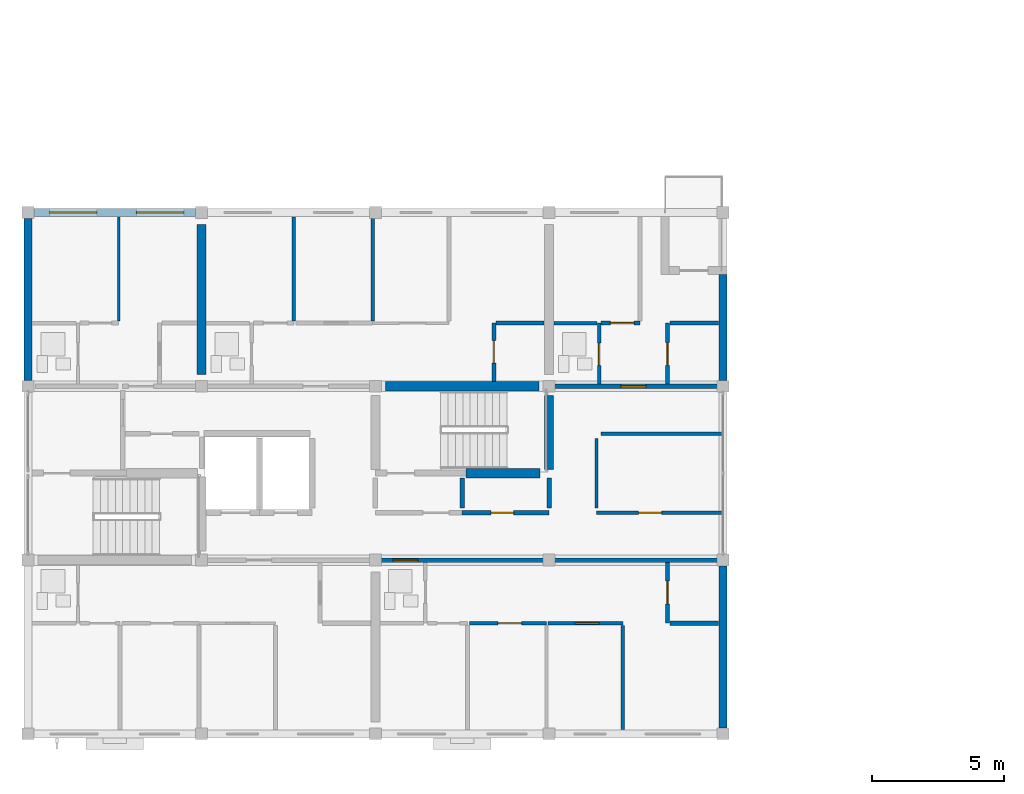
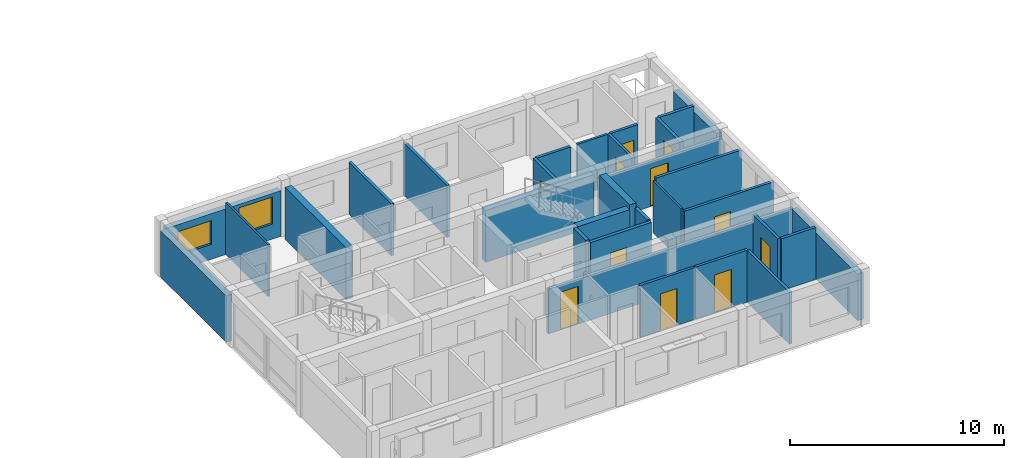
# One storey, part 28 of 52: 31 walls, 11 doors, 2 windows, 13 openings.
"""IFC4 building model written with IfcOpenShell, lengths in metres."""

from ifc_helpers import new_model, si_unit, direction, frame, frame_2d, origin, place, context, subcontext, project, spatial, rectangle, extrude, material, layer, layer_set, type_object, element, fill, save


model = new_model("IFC4")

# Units and contexts
model_context = context("Model", 3, precision=1e-05, world=origin(), true_north=direction((0.0, 1.0)))
body_context = subcontext(model_context, "Body", "Model", "MODEL_VIEW")
ifc_project = project(units=[si_unit("LENGTHUNIT", "METRE"), si_unit("AREAUNIT", "SQUARE_METRE"), si_unit("VOLUMEUNIT", "CUBIC_METRE"), si_unit("PLANEANGLEUNIT", "RADIAN"), si_unit("MASSUNIT", "GRAM", prefix="KILO")], contexts=[model_context])

# Site, building, storey
site_placement = place(None, origin())
site = spatial("IfcSite", under=ifc_project, at=site_placement, CompositionType="ELEMENT")
building_placement = place(site_placement, origin())
building = spatial("IfcBuilding", under=site, at=building_placement, Name="Kernevlak Ridge Housing Community", CompositionType="ELEMENT")
storey_placement = place(building_placement, frame((0.0, 0.0, 11.60009765625)))
storey = spatial("IfcBuildingStorey", under=building, at=storey_placement, Name="L03", CompositionType="ELEMENT", Elevation=11.60009765625)

# Wall, openings, windows
ifc_material_1 = material(Name="Concrete block masonry M10", Category="masonry")
ifc_layer_1 = layer(ifc_material_1, 0.300048828125, Name="Concrete block masonry M10")
ifc_layer_set_1 = layer_set([ifc_layer_1], Name="Concrete block masonry M10")
wall_type_1 = type_object("IfcWallType", Name="EW-01", PredefinedType="STANDARD", material=ifc_layer_set_1)
wall_1_placement = place(storey_placement, frame((15.824951171875, 35.39990234375, 0.0), z_axis=(0.0, 0.0, 1.0), x_axis=(1.0, 0.0, 0.0)))
wall_1 = element("IfcWall", 1, at=wall_1_placement, inside=storey, type_object=wall_type_1, Name="Exterior wall EW-01 L03 757", PredefinedType="STANDARD", context=body_context, shape_type="SweptSolid", body=[
    extrude(rectangle(XDim=6.150146484375, YDim=0.300048828125, at=frame_2d((3.0751953125, 0.0))), origin(), (0.0, 0.0, 1.0), 2.599853515625),
])
opening_1_placement = place(wall_1_placement, frame((0.60009765625, 0.0, 0.85009765625)))
opening_1 = element("IfcOpeningElement", 2, at=opening_1_placement, cuts=wall_1, Name="Opening WT-03", PredefinedType="OPENING", context=body_context, shape_type="SweptSolid", body=[
    extrude(rectangle(XDim=1.800048828125, YDim=1.35009765625, at=frame_2d((0.89990234375, 0.675048828125))), frame((0.0, 0.159912109375, 0.0), z_axis=(0.0, -1.0, 0.0), x_axis=(1.0, 0.0, 0.0)), (0.0, 0.0, 1.0), 0.320068359375),
])
opening_2_placement = place(wall_1_placement, frame((3.89990234375, 0.0, 0.85009765625)))
opening_2 = element("IfcOpeningElement", 3, at=opening_2_placement, cuts=wall_1, Name="Opening WT-04", PredefinedType="OPENING", context=body_context, shape_type="SweptSolid", body=[
    extrude(rectangle(XDim=1.800048828125, YDim=1.550048828125, at=frame_2d((0.89990234375, 0.77490234375))), frame((0.0, 0.159912109375, 0.0), z_axis=(0.0, -1.0, 0.0), x_axis=(1.0, 0.0, 0.0)), (0.0, 0.0, 1.0), 0.320068359375),
])
ifc_material_2 = material(Name="Aluminium EN AW-6060 anodised and laminated glass", Category="aluminium")
window_type_1 = type_object("IfcWindowType", Name="WT-03", PartitioningType="SINGLE_PANEL", PredefinedType="WINDOW", material=ifc_material_2)
window_1_placement = place(opening_1_placement, origin())
window_1 = element("IfcWindow", 4, at=window_1_placement, inside=storey, type_object=window_type_1, Name="Window WT-03 L03 628", OverallHeight=1.35009765625, OverallWidth=1.800048828125, PartitioningType="SINGLE_PANEL", PredefinedType="WINDOW", context=body_context, shape_type="SweptSolid", body=[
    extrude(rectangle(XDim=1.800048828125, YDim=1.35009765625, at=frame_2d((0.89990234375, 0.675048828125))), frame((0.0, 0.030029296875, 0.0), z_axis=(0.0, -1.0, 0.0), x_axis=(1.0, 0.0, 0.0)), (0.0, 0.0, 1.0), 0.06005859375),
])
fill(opening_1, window_1)
window_type_2 = type_object("IfcWindowType", Name="WT-04", PartitioningType="SINGLE_PANEL", PredefinedType="WINDOW", material=ifc_material_2)
window_2_placement = place(opening_2_placement, origin())
window_2 = element("IfcWindow", 5, at=window_2_placement, inside=storey, type_object=window_type_2, Name="Window WT-04 L03 629", OverallHeight=1.550048828125, OverallWidth=1.800048828125, PartitioningType="SINGLE_PANEL", PredefinedType="WINDOW", context=body_context, shape_type="SweptSolid", body=[
    extrude(rectangle(XDim=1.800048828125, YDim=1.550048828125, at=frame_2d((0.89990234375, 0.77490234375))), frame((0.0, 0.030029296875, 0.0), z_axis=(0.0, -1.0, 0.0), x_axis=(1.0, 0.0, 0.0)), (0.0, 0.0, 1.0), 0.06005859375),
])
fill(opening_2, window_2)

# Walls
for number, where, z_axis, x_axis, name in (
    (6, (15.60009765625, 29.02490234375, 0.0), (0.0, 0.0, 1.0), (0.0, 1.0, 0.0), "Exterior wall EW-01 L03 764"),
    (7, (42.0, 15.824951171875, 0.0), (0.0, 0.0, 1.0), (0.0, 1.0, 0.0), "Exterior wall EW-01 L03 765"),
):
    element("IfcWall", number, at=place(storey_placement, frame(where, z_axis=z_axis, x_axis=x_axis)), inside=storey, type_object=wall_type_1, Name=name, PredefinedType="STANDARD", context=body_context, shape_type="SweptSolid", body=[
        extrude(rectangle(XDim=6.150146484375, YDim=0.300048828125, at=frame_2d((3.0751953125, 0.0))), origin(), (0.0, 0.0, 1.0), 2.64990234375),
    ])
wall_2_placement = place(storey_placement, frame((42.0, 29.02490234375, 0.0), z_axis=(0.0, 0.0, 1.0), x_axis=(0.0, 1.0, 0.0)))
element("IfcWall", 8, at=wall_2_placement, inside=storey, type_object=wall_type_1, Name="Exterior wall EW-01 L03 766", PredefinedType="STANDARD", context=body_context, shape_type="SweptSolid", body=[
    extrude(rectangle(XDim=4.025146484375, YDim=0.300048828125, at=frame_2d((2.0126953125, 0.0))), origin(), (0.0, 0.0, 1.0), 2.64990234375),
])

# Wall, opening, door
ifc_layer_2 = layer(ifc_material_1, 0.175048828125, Name="Concrete block masonry M10")
ifc_layer_set_2 = layer_set([ifc_layer_2], Name="Concrete block masonry M10")
wall_type_2 = type_object("IfcWallType", Name="PW-02", PredefinedType="PARTITIONING", material=ifc_layer_set_2)
wall_3_placement = place(storey_placement, frame((32.10009765625, 24.0, 0.0), z_axis=(0.0, 0.0, 1.0), x_axis=(1.0, 0.0, 0.0)))
wall_3 = element("IfcWall", 9, at=wall_3_placement, inside=storey, type_object=wall_type_2, Name="Interior wall PW-02 WAL-INT-L03-3120", PredefinedType="PARTITIONING", context=body_context, shape_type="SweptSolid", body=[
    extrude(rectangle(XDim=3.2998046875, YDim=0.175048828125, at=frame_2d((1.64990234375, 0.0))), origin(), (0.0, 0.0, 1.0), 2.9599609375),
])
opening_3_placement = place(wall_3_placement, frame((1.10009765625, 0.0, 0.0)))
opening_3 = element("IfcOpeningElement", 10, at=opening_3_placement, cuts=wall_3, Name="Opening E582", PredefinedType="OPENING", context=body_context, shape_type="SweptSolid", body=[
    extrude(rectangle(XDim=0.85009765625, YDim=2.0, at=frame_2d((0.425048828125, 1.0))), frame((0.0, 0.097412109375, 0.0), z_axis=(0.0, -1.0, 0.0), x_axis=(1.0, 0.0, 0.0)), (0.0, 0.0, 1.0), 0.195068359375),
])
ifc_material_3 = material(Name="Fire-rated sheet steel leaf", Category="steel")
door_type_1 = type_object("IfcDoorType", Name="DT-07", OperationType="NOTDEFINED", PredefinedType="DOOR", material=ifc_material_3)
door_1_placement = place(opening_3_placement, origin())
door_1 = element("IfcDoor", 11, at=door_1_placement, inside=storey, type_object=door_type_1, Name="Block D Cleaner store door E582", OperationType="SINGLE_SWING_LEFT", OverallHeight=2.0, OverallWidth=0.85009765625, PredefinedType="DOOR", context=body_context, shape_type="SweptSolid", body=[
    extrude(rectangle(XDim=0.85009765625, YDim=2.0, at=frame_2d((0.425048828125, 1.0))), frame((0.0, 0.02490234375, 0.0), z_axis=(0.0, -1.0, 0.0), x_axis=(1.0, 0.0, 0.0)), (0.0, 0.0, 1.0), 0.050048828125),
])
fill(opening_3, door_1)

# Walls
for number, where, z_axis, x_axis, name in (
    (12, (32.10009765625, 24.179931640625, 0.0), (0.0, 0.0, 1.0), (0.0, 1.0, 0.0), "Interior wall PW-02 WAL-INT-L03-3122"),
    (13, (35.39990234375, 24.179931640625, 0.0), (0.0, 0.0, 1.0), (0.0, 1.0, 0.0), "Interior wall PW-02 WAL-INT-L03-3123"),
):
    element("IfcWall", number, at=place(storey_placement, frame(where, z_axis=z_axis, x_axis=x_axis)), inside=storey, type_object=wall_type_2, Name=name, PredefinedType="PARTITIONING", context=body_context, shape_type="SweptSolid", body=[
        extrude(rectangle(XDim=1.14013671875, YDim=0.175048828125, at=frame_2d((0.570068359375, 0.0))), origin(), (0.0, 0.0, 1.0), 2.9599609375),
    ])

# Wall, opening, door
wall_4_placement = place(storey_placement, frame((28.800048828125, 22.199951171875, 0.0), z_axis=(0.0, 0.0, 1.0), x_axis=(1.0, 0.0, 0.0)))
wall_4 = element("IfcWall", 14, at=wall_4_placement, inside=storey, type_object=wall_type_2, Name="Interior wall PW-02 WAL-INT-L03-3138", PredefinedType="PARTITIONING", context=body_context, shape_type="SweptSolid", body=[
    extrude(rectangle(XDim=13.199951171875, YDim=0.175048828125, at=frame_2d((6.60009765625, 0.0))), origin(), (0.0, 0.0, 1.0), 2.5498046875),
])
opening_4_placement = place(wall_4_placement, frame((0.669921875, 0.0, 0.0)))
opening_4 = element("IfcOpeningElement", 15, at=opening_4_placement, cuts=wall_4, Name="Opening E590", PredefinedType="OPENING", context=body_context, shape_type="SweptSolid", body=[
    extrude(rectangle(XDim=0.949951171875, YDim=2.159912109375, at=frame_2d((0.47509765625, 1.080078125))), frame((0.0, 0.097412109375, 0.0), z_axis=(0.0, -1.0, 0.0), x_axis=(1.0, 0.0, 0.0)), (0.0, 0.0, 1.0), 0.195068359375),
])
ifc_material_4 = material(Name="Hardwood timber solid-core fire leaf", Category="wood")
door_type_2 = type_object("IfcDoorType", Name="DT-02", OperationType="NOTDEFINED", PredefinedType="DOOR", material=ifc_material_4)
door_2_placement = place(opening_4_placement, origin())
door_2 = element("IfcDoor", 16, at=door_2_placement, inside=storey, type_object=door_type_2, Name="Flat D0312 entrance fire door E590", OperationType="SINGLE_SWING_LEFT", OverallHeight=2.159912109375, OverallWidth=0.949951171875, PredefinedType="DOOR", context=body_context, shape_type="SweptSolid", body=[
    extrude(rectangle(XDim=0.949951171875, YDim=2.159912109375, at=frame_2d((0.47509765625, 1.080078125))), frame((0.0, 0.02490234375, 0.0), z_axis=(0.0, -1.0, 0.0), x_axis=(1.0, 0.0, 0.0)), (0.0, 0.0, 1.0), 0.050048828125),
])
fill(opening_4, door_2)

wall_5_placement = place(storey_placement, frame((35.39990234375, 28.800048828125, 0.0), z_axis=(0.0, 0.0, 1.0), x_axis=(1.0, 0.0, 0.0)))
wall_5 = element("IfcWall", 17, at=wall_5_placement, inside=storey, type_object=wall_type_2, Name="Interior wall PW-02 WAL-INT-L03-3168", PredefinedType="PARTITIONING", context=body_context, shape_type="SweptSolid", body=[
    extrude(rectangle(XDim=6.60009765625, YDim=0.175048828125, at=frame_2d((3.300048828125, 0.0))), origin(), (0.0, 0.0, 1.0), 2.5498046875),
])
opening_5_placement = place(wall_5_placement, frame((2.72509765625, 0.0, 0.0)))
opening_5 = element("IfcOpeningElement", 18, at=opening_5_placement, cuts=wall_5, Name="Opening E606", PredefinedType="OPENING", context=body_context, shape_type="SweptSolid", body=[
    extrude(rectangle(XDim=0.949951171875, YDim=2.159912109375, at=frame_2d((0.47509765625, 1.080078125))), frame((0.0, 0.097412109375, 0.0), z_axis=(0.0, -1.0, 0.0), x_axis=(1.0, 0.0, 0.0)), (0.0, 0.0, 1.0), 0.195068359375),
])
door_3_placement = place(opening_5_placement, origin())
door_3 = element("IfcDoor", 19, at=door_3_placement, inside=storey, type_object=door_type_2, Name="Flat D0323 entrance fire door E606", OperationType="SINGLE_SWING_LEFT", OverallHeight=2.159912109375, OverallWidth=0.949951171875, PredefinedType="DOOR", context=body_context, shape_type="SweptSolid", body=[
    extrude(rectangle(XDim=0.949951171875, YDim=2.159912109375, at=frame_2d((0.47509765625, 1.080078125))), frame((0.0, 0.02490234375, 0.0), z_axis=(0.0, -1.0, 0.0), x_axis=(1.0, 0.0, 0.0)), (0.0, 0.0, 1.0), 0.050048828125),
])
fill(opening_5, door_3)

ifc_layer_3 = layer(ifc_material_1, 0.14501953125, Name="Concrete block masonry M10")
ifc_layer_set_3 = layer_set([ifc_layer_3], Name="Concrete block masonry M10")
wall_type_3 = type_object("IfcWallType", Name="PW-03", PredefinedType="PARTITIONING", material=ifc_layer_set_3)
wall_6_placement = place(storey_placement, frame((37.199951171875, 24.0, 0.0), z_axis=(0.0, 0.0, 1.0), x_axis=(1.0, 0.0, 0.0)))
wall_6 = element("IfcWall", 20, at=wall_6_placement, inside=storey, type_object=wall_type_3, Name="Interior wall PW-03 WAL-INT-L03-3124", PredefinedType="PARTITIONING", context=body_context, shape_type="SweptSolid", body=[
    extrude(rectangle(XDim=4.800048828125, YDim=0.14501953125, at=frame_2d((2.39990234375, 0.0))), origin(), (0.0, 0.0, 1.0), 2.9599609375),
])
opening_6_placement = place(wall_6_placement, frame((1.60009765625, 0.0, 0.0)))
opening_6 = element("IfcOpeningElement", 21, at=opening_6_placement, cuts=wall_6, Name="Opening E583", PredefinedType="OPENING", context=body_context, shape_type="SweptSolid", body=[
    extrude(rectangle(XDim=0.8701171875, YDim=2.080078125, at=frame_2d((0.43505859375, 1.0400390625))), frame((0.0, 0.08251953125, 0.0), z_axis=(0.0, -1.0, 0.0), x_axis=(1.0, 0.0, 0.0)), (0.0, 0.0, 1.0), 0.1650390625),
])
ifc_material_5 = material(Name="Hardwood timber leaf", Category="wood")
door_type_3 = type_object("IfcDoorType", Name="DT-32", OperationType="NOTDEFINED", PredefinedType="DOOR", material=ifc_material_5)
door_4_placement = place(opening_6_placement, origin())
door_4 = element("IfcDoor", 22, at=door_4_placement, inside=storey, type_object=door_type_3, Name="Block D Laundry room door E583", OperationType="SINGLE_SWING_RIGHT", OverallHeight=2.080078125, OverallWidth=0.8701171875, PredefinedType="DOOR", context=body_context, shape_type="SweptSolid", body=[
    extrude(rectangle(XDim=0.8701171875, YDim=2.080078125, at=frame_2d((0.43505859375, 1.0400390625))), frame((0.0, 0.02490234375, 0.0), z_axis=(0.0, -1.0, 0.0), x_axis=(1.0, 0.0, 0.0)), (0.0, 0.0, 1.0), 0.050048828125),
])
fill(opening_6, door_4)

# Wall
wall_7_placement = place(storey_placement, frame((37.3798828125, 27.0, 0.0), z_axis=(0.0, 0.0, 1.0), x_axis=(1.0, 0.0, 0.0)))
element("IfcWall", 23, at=wall_7_placement, inside=storey, type_object=wall_type_3, Name="Interior wall PW-03 WAL-INT-L03-3125", PredefinedType="PARTITIONING", context=body_context, shape_type="SweptSolid", body=[
    extrude(rectangle(XDim=4.60009765625, YDim=0.14501953125, at=frame_2d((2.300048828125, 0.0))), origin(), (0.0, 0.0, 1.0), 2.9599609375),
])

# Wall, opening, door
wall_8_placement = place(storey_placement, frame((32.382568359375, 19.800048828125, 0.0), z_axis=(0.0, 0.0, 1.0), x_axis=(1.0, 0.0, 0.0)))
wall_8 = element("IfcWall", 24, at=wall_8_placement, inside=storey, type_object=wall_type_3, Name="Interior wall PW-03 WAL-INT-L03-3145", PredefinedType="PARTITIONING", context=body_context, shape_type="SweptSolid", body=[
    extrude(rectangle(XDim=2.91748046875, YDim=0.14501953125, at=frame_2d((1.458740234375, 0.0))), origin(), (0.0, 0.0, 1.0), 2.9599609375),
])
opening_7_placement = place(wall_8_placement, frame((1.074951171875, 0.0, 0.0)))
opening_7 = element("IfcOpeningElement", 25, at=opening_7_placement, cuts=wall_8, Name="Opening E594", PredefinedType="OPENING", context=body_context, shape_type="SweptSolid", body=[
    extrude(rectangle(XDim=0.89990234375, YDim=2.10009765625, at=frame_2d((0.449951171875, 1.050048828125))), frame((0.0, 0.08251953125, 0.0), z_axis=(0.0, -1.0, 0.0), x_axis=(1.0, 0.0, 0.0)), (0.0, 0.0, 1.0), 0.1650390625),
])
door_type_4 = type_object("IfcDoorType", Name="DT-21", OperationType="NOTDEFINED", PredefinedType="DOOR", material=ifc_material_5)
door_5_placement = place(opening_7_placement, origin())
door_5 = element("IfcDoor", 26, at=door_5_placement, inside=storey, type_object=door_type_4, Name="Flat D0312 bedroom door E594", OperationType="SINGLE_SWING_LEFT", OverallHeight=2.10009765625, OverallWidth=0.89990234375, PredefinedType="DOOR", context=body_context, shape_type="SweptSolid", body=[
    extrude(rectangle(XDim=0.89990234375, YDim=2.10009765625, at=frame_2d((0.449951171875, 1.050048828125))), frame((0.0, 0.02490234375, 0.0), z_axis=(0.0, -1.0, 0.0), x_axis=(1.0, 0.0, 0.0)), (0.0, 0.0, 1.0), 0.050048828125),
])
fill(opening_7, door_5)

wall_9_placement = place(storey_placement, frame((35.362548828125, 19.800048828125, 0.0), z_axis=(0.0, 0.0, 1.0), x_axis=(1.0, 0.0, 0.0)))
wall_9 = element("IfcWall", 27, at=wall_9_placement, inside=storey, type_object=wall_type_3, Name="Interior wall PW-03 WAL-INT-L03-3147", PredefinedType="PARTITIONING", context=body_context, shape_type="SweptSolid", body=[
    extrude(rectangle(XDim=2.83740234375, YDim=0.14501953125, at=frame_2d((1.418701171875, 0.0))), origin(), (0.0, 0.0, 1.0), 2.9599609375),
])
opening_8_placement = place(wall_9_placement, frame((1.02490234375, 0.0, 0.0)))
opening_8 = element("IfcOpeningElement", 28, at=opening_8_placement, cuts=wall_9, Name="Opening E595", PredefinedType="OPENING", context=body_context, shape_type="SweptSolid", body=[
    extrude(rectangle(XDim=0.89990234375, YDim=2.159912109375, at=frame_2d((0.449951171875, 1.080078125))), frame((0.0, 0.08251953125, 0.0), z_axis=(0.0, -1.0, 0.0), x_axis=(1.0, 0.0, 0.0)), (0.0, 0.0, 1.0), 0.1650390625),
])
door_type_5 = type_object("IfcDoorType", Name="DT-22", OperationType="NOTDEFINED", PredefinedType="DOOR", material=ifc_material_5)
door_6_placement = place(opening_8_placement, origin())
door_6 = element("IfcDoor", 29, at=door_6_placement, inside=storey, type_object=door_type_5, Name="Flat D0312 bedroom door E595", OperationType="SINGLE_SWING_RIGHT", OverallHeight=2.159912109375, OverallWidth=0.89990234375, PredefinedType="DOOR", context=body_context, shape_type="SweptSolid", body=[
    extrude(rectangle(XDim=0.89990234375, YDim=2.159912109375, at=frame_2d((0.449951171875, 1.080078125))), frame((0.0, 0.02490234375, 0.0), z_axis=(0.0, -1.0, 0.0), x_axis=(1.0, 0.0, 0.0)), (0.0, 0.0, 1.0), 0.050048828125),
])
fill(opening_8, door_6)

# Walls
for number, where, z_axis, x_axis, name in (
    (30, (38.199951171875, 19.717529296875, 0.0), (0.0, 0.0, 1.0), (0.0, -1.0, 0.0), "Interior wall PW-03 WAL-INT-L03-3148"),
    (31, (25.699951171875, 31.282470703125, 0.0), (0.0, 0.0, 1.0), (0.0, 1.0, 0.0), "Interior wall PW-03 WAL-INT-L03-3163"),
):
    element("IfcWall", number, at=place(storey_placement, frame(where, z_axis=z_axis, x_axis=x_axis)), inside=storey, type_object=wall_type_3, Name=name, PredefinedType="PARTITIONING", context=body_context, shape_type="SweptSolid", body=[
        extrude(rectangle(XDim=3.95751953125, YDim=0.14501953125, at=frame_2d((1.978759765625, 0.0))), origin(), (0.0, 0.0, 1.0), 2.9599609375),
    ])
wall_10_placement = place(storey_placement, frame((28.699951171875, 31.282470703125, 0.0), z_axis=(0.0, 0.0, 1.0), x_axis=(0.0, 1.0, 0.0)))
element("IfcWall", 32, at=wall_10_placement, inside=storey, type_object=wall_type_3, Name="Interior wall PW-03 WAL-INT-L03-3165", PredefinedType="PARTITIONING", context=body_context, shape_type="SweptSolid", body=[
    extrude(rectangle(XDim=4.03759765625, YDim=0.14501953125, at=frame_2d((2.018798828125, 0.0))), origin(), (0.0, 0.0, 1.0), 2.9599609375),
])

# Wall, opening, door
wall_11_placement = place(storey_placement, frame((37.37255859375, 31.199951171875, 0.0), z_axis=(0.0, 0.0, 1.0), x_axis=(1.0, 0.0, 0.0)))
wall_11 = element("IfcWall", 33, at=wall_11_placement, inside=storey, type_object=wall_type_3, Name="Interior wall PW-03 WAL-INT-L03-3173", PredefinedType="PARTITIONING", context=body_context, shape_type="SweptSolid", body=[
    extrude(rectangle(XDim=1.4775390625, YDim=0.14501953125, at=frame_2d((0.73876953125, 0.0))), origin(), (0.0, 0.0, 1.0), 2.9599609375),
])
opening_9_placement = place(wall_11_placement, frame((0.35009765625, 0.0, 0.0)))
opening_9 = element("IfcOpeningElement", 34, at=opening_9_placement, cuts=wall_11, Name="Opening E609", PredefinedType="OPENING", context=body_context, shape_type="SweptSolid", body=[
    extrude(rectangle(XDim=0.909912109375, YDim=2.139892578125, at=frame_2d((0.455078125, 1.06982421875))), frame((0.0, 0.08251953125, 0.0), z_axis=(0.0, -1.0, 0.0), x_axis=(1.0, 0.0, 0.0)), (0.0, 0.0, 1.0), 0.1650390625),
])
door_type_6 = type_object("IfcDoorType", Name="DT-31", OperationType="NOTDEFINED", PredefinedType="DOOR", material=ifc_material_5)
door_7_placement = place(opening_9_placement, origin())
door_7 = element("IfcDoor", 35, at=door_7_placement, inside=storey, type_object=door_type_6, Name="Flat D0323 bedroom door E609", OperationType="SINGLE_SWING_RIGHT", OverallHeight=2.139892578125, OverallWidth=0.909912109375, PredefinedType="DOOR", context=body_context, shape_type="SweptSolid", body=[
    extrude(rectangle(XDim=0.909912109375, YDim=2.139892578125, at=frame_2d((0.455078125, 1.06982421875))), frame((0.0, 0.02490234375, 0.0), z_axis=(0.0, -1.0, 0.0), x_axis=(1.0, 0.0, 0.0)), (0.0, 0.0, 1.0), 0.050048828125),
])
fill(opening_9, door_7)

ifc_material_6 = material(Name="Gypsum plasterboard EN 520", Category="gypsum")
ifc_layer_4 = layer(ifc_material_6, 0.125, Name="Gypsum plasterboard EN 520")
ifc_layer_set_4 = layer_set([ifc_layer_4], Name="Gypsum plasterboard EN 520")
wall_type_4 = type_object("IfcWallType", Name="PW-04", PredefinedType="PARTITIONING", material=ifc_layer_set_4)
wall_12_placement = place(storey_placement, frame((37.300048828125, 28.8974609375, 0.0), z_axis=(0.0, 0.0, 1.0), x_axis=(0.0, 1.0, 0.0)))
wall_12 = element("IfcWall", 36, at=wall_12_placement, inside=storey, type_object=wall_type_4, Name="Interior wall PW-04 WAL-INT-L03-3169", PredefinedType="PARTITIONING", context=body_context, shape_type="SweptSolid", body=[
    extrude(rectangle(XDim=2.302490234375, YDim=0.125, at=frame_2d((1.1513671875, 0.0))), origin(), (0.0, 0.0, 1.0), 2.9599609375),
])
opening_10_placement = place(wall_12_placement, frame((0.699951171875, 0.0, 0.0)))
opening_10 = element("IfcOpeningElement", 37, at=opening_10_placement, cuts=wall_12, Name="Opening E607", PredefinedType="OPENING", context=body_context, shape_type="SweptSolid", body=[
    extrude(rectangle(XDim=0.840087890625, YDim=2.06005859375, at=frame_2d((0.419921875, 1.030029296875))), frame((0.0, 0.072509765625, 0.0), z_axis=(0.0, -1.0, 0.0), x_axis=(1.0, 0.0, 0.0)), (0.0, 0.0, 1.0), 0.14501953125),
])
ifc_material_7 = material(Name="Hardwood timber moisture-resistant leaf", Category="wood")
door_type_7 = type_object("IfcDoorType", Name="DT-27", OperationType="NOTDEFINED", PredefinedType="DOOR", material=ifc_material_7)
door_8_placement = place(opening_10_placement, origin())
door_8 = element("IfcDoor", 38, at=door_8_placement, inside=storey, type_object=door_type_7, Name="Flat D0323 bathroom door E607", OperationType="SINGLE_SWING_RIGHT", OverallHeight=2.06005859375, OverallWidth=0.840087890625, PredefinedType="DOOR", context=body_context, shape_type="SweptSolid", body=[
    extrude(rectangle(XDim=0.840087890625, YDim=2.06005859375, at=frame_2d((0.419921875, 1.030029296875))), frame((0.0, 0.02490234375, 0.0), z_axis=(0.0, -1.0, 0.0), x_axis=(1.0, 0.0, 0.0)), (0.0, 0.0, 1.0), 0.050048828125),
])
fill(opening_10, door_8)

# Wall
wall_13_placement = place(storey_placement, frame((35.5849609375, 31.199951171875, 0.0), z_axis=(0.0, 0.0, 1.0), x_axis=(1.0, 0.0, 0.0)))
element("IfcWall", 39, at=wall_13_placement, inside=storey, type_object=wall_type_4, Name="Interior wall PW-04 WAL-INT-L03-3170", PredefinedType="PARTITIONING", context=body_context, shape_type="SweptSolid", body=[
    extrude(rectangle(XDim=1.635009765625, YDim=0.125, at=frame_2d((0.8173828125, 0.0))), origin(), (0.0, 0.0, 1.0), 2.9599609375),
])

# Wall, opening, door
ifc_layer_5 = layer(ifc_material_6, 0.155029296875, Name="Gypsum plasterboard EN 520")
ifc_layer_set_5 = layer_set([ifc_layer_5], Name="Gypsum plasterboard EN 520")
wall_type_5 = type_object("IfcWallType", Name="PW-05", PredefinedType="PARTITIONING", material=ifc_layer_set_5)
wall_14_placement = place(storey_placement, frame((39.89990234375, 22.1025390625, 0.0), z_axis=(0.0, 0.0, 1.0), x_axis=(0.0, -1.0, 0.0)))
wall_14 = element("IfcWall", 40, at=wall_14_placement, inside=storey, type_object=wall_type_5, Name="Interior wall PW-05 WAL-INT-L03-3141", PredefinedType="PARTITIONING", context=body_context, shape_type="SweptSolid", body=[
    extrude(rectangle(XDim=2.302490234375, YDim=0.155029296875, at=frame_2d((1.1513671875, 0.0))), origin(), (0.0, 0.0, 1.0), 2.9599609375),
])
opening_11_placement = place(wall_14_placement, frame((0.699951171875, 0.0, 0.0)))
opening_11 = element("IfcOpeningElement", 41, at=opening_11_placement, cuts=wall_14, Name="Opening E592", PredefinedType="OPENING", context=body_context, shape_type="SweptSolid", body=[
    extrude(rectangle(XDim=0.8701171875, YDim=2.080078125, at=frame_2d((0.43505859375, 1.0400390625))), frame((0.0, 0.08740234375, 0.0), z_axis=(0.0, -1.0, 0.0), x_axis=(1.0, 0.0, 0.0)), (0.0, 0.0, 1.0), 0.175048828125),
])
door_9_placement = place(opening_11_placement, origin())
door_9 = element("IfcDoor", 42, at=door_9_placement, inside=storey, type_object=door_type_3, Name="Flat D0312 kitchen door E592", OperationType="SINGLE_SWING_LEFT", OverallHeight=2.080078125, OverallWidth=0.8701171875, PredefinedType="DOOR", context=body_context, shape_type="SweptSolid", body=[
    extrude(rectangle(XDim=0.8701171875, YDim=2.080078125, at=frame_2d((0.43505859375, 1.0400390625))), frame((0.0, 0.02490234375, 0.0), z_axis=(0.0, -1.0, 0.0), x_axis=(1.0, 0.0, 0.0)), (0.0, 0.0, 1.0), 0.050048828125),
])
fill(opening_11, door_9)

# Wall
wall_15_placement = place(storey_placement, frame((39.987548828125, 19.800048828125, 0.0), z_axis=(0.0, 0.0, 1.0), x_axis=(1.0, 0.0, 0.0)))
element("IfcWall", 43, at=wall_15_placement, inside=storey, type_object=wall_type_5, Name="Interior wall PW-05 WAL-INT-L03-3142", PredefinedType="PARTITIONING", context=body_context, shape_type="SweptSolid", body=[
    extrude(rectangle(XDim=1.8525390625, YDim=0.155029296875, at=frame_2d((0.92626953125, 0.0))), origin(), (0.0, 0.0, 1.0), 2.9599609375),
])

# Wall, opening, door
wall_16_placement = place(storey_placement, frame((33.300048828125, 28.985107421875, 0.0), z_axis=(0.0, 0.0, 1.0), x_axis=(0.0, 1.0, 0.0)))
wall_16 = element("IfcWall", 44, at=wall_16_placement, inside=storey, type_object=wall_type_5, Name="Interior wall PW-05 WAL-INT-L03-3160", PredefinedType="PARTITIONING", context=body_context, shape_type="SweptSolid", body=[
    extrude(rectangle(XDim=2.21484375, YDim=0.155029296875, at=frame_2d((1.107421875, 0.0))), origin(), (0.0, 0.0, 1.0), 2.9599609375),
])
opening_12_placement = place(wall_16_placement, frame((0.699951171875, 0.0, 0.0)))
opening_12 = element("IfcOpeningElement", 45, at=opening_12_placement, cuts=wall_16, Name="Opening E602", PredefinedType="OPENING", context=body_context, shape_type="SweptSolid", body=[
    extrude(rectangle(XDim=0.85009765625, YDim=2.10009765625, at=frame_2d((0.425048828125, 1.050048828125))), frame((0.0, 0.08740234375, 0.0), z_axis=(0.0, -1.0, 0.0), x_axis=(1.0, 0.0, 0.0)), (0.0, 0.0, 1.0), 0.175048828125),
])
door_type_8 = type_object("IfcDoorType", Name="DT-03", OperationType="NOTDEFINED", PredefinedType="DOOR", material=ifc_material_5)
door_10_placement = place(opening_12_placement, origin())
door_10 = element("IfcDoor", 46, at=door_10_placement, inside=storey, type_object=door_type_8, Name="Flat D0322 kitchen door E602", OperationType="SINGLE_SWING_LEFT", OverallHeight=2.10009765625, OverallWidth=0.85009765625, PredefinedType="DOOR", context=body_context, shape_type="SweptSolid", body=[
    extrude(rectangle(XDim=0.85009765625, YDim=2.10009765625, at=frame_2d((0.425048828125, 1.050048828125))), frame((0.0, 0.02490234375, 0.0), z_axis=(0.0, -1.0, 0.0), x_axis=(1.0, 0.0, 0.0)), (0.0, 0.0, 1.0), 0.050048828125),
])
fill(opening_12, door_10)

# Wall
wall_17_placement = place(storey_placement, frame((33.387451171875, 31.199951171875, 0.0), z_axis=(0.0, 0.0, 1.0), x_axis=(1.0, 0.0, 0.0)))
element("IfcWall", 47, at=wall_17_placement, inside=storey, type_object=wall_type_5, Name="Interior wall PW-05 WAL-INT-L03-3161", PredefinedType="PARTITIONING", context=body_context, shape_type="SweptSolid", body=[
    extrude(rectangle(XDim=1.82763671875, YDim=0.155029296875, at=frame_2d((0.913818359375, 0.0))), origin(), (0.0, 0.0, 1.0), 2.9599609375),
])

# Wall, opening, door
wall_18_placement = place(storey_placement, frame((39.89990234375, 28.8974609375, 0.0), z_axis=(0.0, 0.0, 1.0), x_axis=(0.0, 1.0, 0.0)))
wall_18 = element("IfcWall", 48, at=wall_18_placement, inside=storey, type_object=wall_type_5, Name="Interior wall PW-05 WAL-INT-L03-3171", PredefinedType="PARTITIONING", context=body_context, shape_type="SweptSolid", body=[
    extrude(rectangle(XDim=2.302490234375, YDim=0.155029296875, at=frame_2d((1.1513671875, 0.0))), origin(), (0.0, 0.0, 1.0), 2.9599609375),
])
opening_13_placement = place(wall_18_placement, frame((0.699951171875, 0.0, 0.0)))
opening_13 = element("IfcOpeningElement", 49, at=opening_13_placement, cuts=wall_18, Name="Opening E608", PredefinedType="OPENING", context=body_context, shape_type="SweptSolid", body=[
    extrude(rectangle(XDim=0.860107421875, YDim=2.1201171875, at=frame_2d((0.43017578125, 1.06005859375))), frame((0.0, 0.08740234375, 0.0), z_axis=(0.0, -1.0, 0.0), x_axis=(1.0, 0.0, 0.0)), (0.0, 0.0, 1.0), 0.175048828125),
])
door_type_9 = type_object("IfcDoorType", Name="DT-28", OperationType="NOTDEFINED", PredefinedType="DOOR", material=ifc_material_5)
door_11_placement = place(opening_13_placement, origin())
door_11 = element("IfcDoor", 50, at=door_11_placement, inside=storey, type_object=door_type_9, Name="Flat D0323 kitchen door E608", OperationType="SINGLE_SWING_LEFT", OverallHeight=2.1201171875, OverallWidth=0.860107421875, PredefinedType="DOOR", context=body_context, shape_type="SweptSolid", body=[
    extrude(rectangle(XDim=0.860107421875, YDim=2.1201171875, at=frame_2d((0.43017578125, 1.06005859375))), frame((0.0, 0.02490234375, 0.0), z_axis=(0.0, -1.0, 0.0), x_axis=(1.0, 0.0, 0.0)), (0.0, 0.0, 1.0), 0.050048828125),
])
fill(opening_13, door_11)

# Walls
wall_19_placement = place(storey_placement, frame((39.987548828125, 31.199951171875, 0.0), z_axis=(0.0, 0.0, 1.0), x_axis=(1.0, 0.0, 0.0)))
element("IfcWall", 51, at=wall_19_placement, inside=storey, type_object=wall_type_5, Name="Interior wall PW-05 WAL-INT-L03-3172", PredefinedType="PARTITIONING", context=body_context, shape_type="SweptSolid", body=[
    extrude(rectangle(XDim=1.8525390625, YDim=0.155029296875, at=frame_2d((0.92626953125, 0.0))), origin(), (0.0, 0.0, 1.0), 2.9599609375),
])
ifc_layer_6 = layer(ifc_material_6, 0.10498046875, Name="Gypsum plasterboard EN 520")
ifc_layer_set_6 = layer_set([ifc_layer_6], Name="Gypsum plasterboard EN 520")
wall_type_6 = type_object("IfcWallType", Name="PW-06", PredefinedType="PARTITIONING", material=ifc_layer_set_6)
wall_20_placement = place(storey_placement, frame((37.199951171875, 24.179931640625, 0.0), z_axis=(0.0, 0.0, 1.0), x_axis=(0.0, 1.0, 0.0)))
element("IfcWall", 52, at=wall_20_placement, inside=storey, type_object=wall_type_6, Name="Interior wall PW-06 WAL-INT-L03-3126", PredefinedType="PARTITIONING", context=body_context, shape_type="SweptSolid", body=[
    extrude(rectangle(XDim=2.64013671875, YDim=0.10498046875, at=frame_2d((1.320068359375, 0.0))), origin(), (0.0, 0.0, 1.0), 2.9599609375),
])
wall_21_placement = place(storey_placement, frame((19.050048828125, 31.282470703125, 0.0), z_axis=(0.0, 0.0, 1.0), x_axis=(0.0, 1.0, 0.0)))
element("IfcWall", 53, at=wall_21_placement, inside=storey, type_object=wall_type_6, Name="Interior wall PW-06 WAL-INT-L03-3156", PredefinedType="PARTITIONING", context=body_context, shape_type="SweptSolid", body=[
    extrude(rectangle(XDim=3.95751953125, YDim=0.10498046875, at=frame_2d((1.978759765625, 0.0))), origin(), (0.0, 0.0, 1.0), 2.9599609375),
])
ifc_material_8 = material(Name="Concrete C40/50", Category="concrete")
ifc_layer_7 = layer(ifc_material_8, 0.35009765625, Name="Concrete C40/50")
ifc_layer_set_7 = layer_set([ifc_layer_7], Name="Concrete C40/50")
wall_type_7 = type_object("IfcWallType", Name="SW-01", PredefinedType="SHEAR", material=ifc_layer_set_7)
wall_22_placement = place(storey_placement, frame((29.179931640625, 28.800048828125, 0.0), z_axis=(0.0, 0.0, 1.0), x_axis=(1.0, 0.0, 0.0)))
element("IfcWall", 54, at=wall_22_placement, inside=storey, type_object=wall_type_7, Name="Shear wall SW-01 Block D L03 540", PredefinedType="SHEAR", context=body_context, shape_type="SweptSolid", body=[
    extrude(rectangle(XDim=5.840087890625, YDim=0.35009765625, at=frame_2d((2.919921875, 0.0))), origin(), (0.0, 0.0, 1.0), 2.9599609375),
])
for number, where, z_axis, x_axis, name in (
    (55, (32.25, 25.5, 0.0), (0.0, 0.0, 1.0), (1.0, 0.0, 0.0), "Shear wall SW-01 Block D L03 541"),
    (56, (35.39990234375, 25.64990234375, 0.0), (0.0, 0.0, 1.0), (0.0, 1.0, 0.0), "Shear wall SW-01 Block D L03 543"),
):
    element("IfcWall", number, at=place(storey_placement, frame(where, z_axis=z_axis, x_axis=x_axis)), inside=storey, type_object=wall_type_7, Name=name, PredefinedType="SHEAR", context=body_context, shape_type="SweptSolid", body=[
        extrude(rectangle(XDim=2.800048828125, YDim=0.35009765625, at=frame_2d((1.39990234375, 0.0))), origin(), (0.0, 0.0, 1.0), 2.9599609375),
    ])
wall_23_placement = place(storey_placement, frame((22.199951171875, 29.25, 0.0), z_axis=(0.0, 0.0, 1.0), x_axis=(0.0, 1.0, 0.0)))
element("IfcWall", 57, at=wall_23_placement, inside=storey, type_object=wall_type_7, Name="Shear wall SW-01 Block D L03 545", PredefinedType="SHEAR", context=body_context, shape_type="SweptSolid", body=[
    extrude(rectangle(XDim=5.699951171875, YDim=0.35009765625, at=frame_2d((2.85009765625, 0.0))), origin(), (0.0, 0.0, 1.0), 2.9599609375),
])

save(model, "model.ifc")
